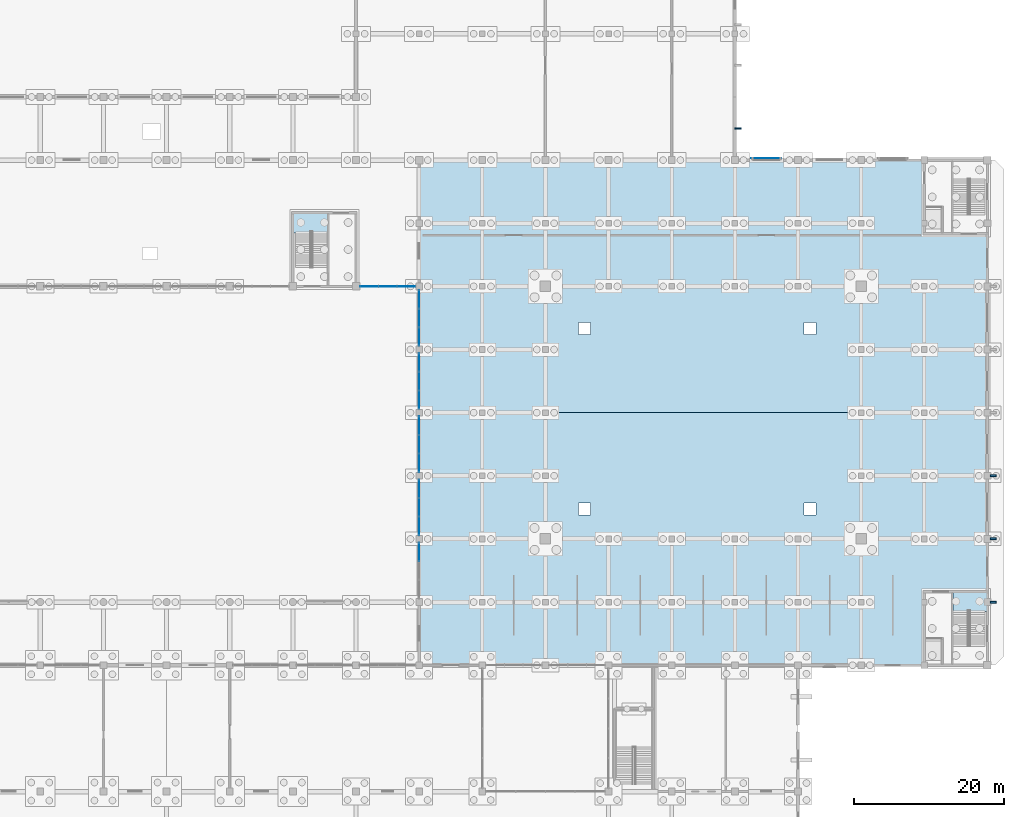
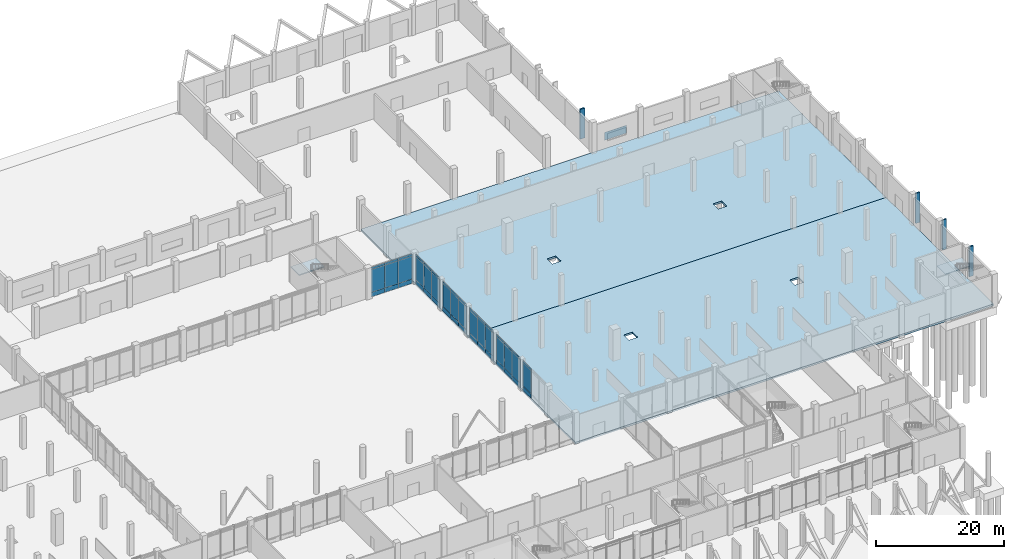
# One storey, part 48 of 72: 53 plates, 4 slabs, 8 elements without a shape of their own.
"""IFC4 building model written with IfcOpenShell, lengths in metres."""

from ifc_helpers import new_model, si_unit, direction, frame, frame_2d, origin, place, context, subcontext, project, spatial, polyline, rectangle, outline, extrude, material, layer, layer_set, type_object, element, aggregate, save


model = new_model("IFC4")

# Units and contexts
model_context = context("Model", 3, precision=1e-05, world=origin(), true_north=direction((0.0, 1.0)))
body_context = subcontext(model_context, "Body", "Model", "MODEL_VIEW")
ifc_project = project(units=[si_unit("LENGTHUNIT", "METRE"), si_unit("AREAUNIT", "SQUARE_METRE"), si_unit("VOLUMEUNIT", "CUBIC_METRE"), si_unit("PLANEANGLEUNIT", "RADIAN"), si_unit("MASSUNIT", "GRAM", prefix="KILO")], contexts=[model_context])

# Site, building, storey
site_placement = place(None, origin())
site = spatial("IfcSite", under=ifc_project, at=site_placement, CompositionType="ELEMENT")
building_placement = place(site_placement, origin())
building = spatial("IfcBuilding", under=site, at=building_placement, Name="Qawsi Khor Wholesale Market", CompositionType="ELEMENT")
storey_placement = place(building_placement, origin())
storey = spatial("IfcBuildingStorey", under=building, at=storey_placement, Name="L00", CompositionType="ELEMENT", Elevation=0.0)

# Slabs
ifc_material_1 = material(Name="Concrete C45/55", Category="concrete")
ifc_layer_1 = layer(ifc_material_1, 0.360107421875, Name="Concrete C45/55")
ifc_layer_set_1 = layer_set([ifc_layer_1], Name="Concrete C45/55")
slab_type_1 = type_object("IfcSlabType", Name="Ground-Bearing Slab 360 C45/55", PredefinedType="BASESLAB", material=ifc_layer_set_1)
slab_1_placement = place(storey_placement, frame((0.0, 0.0, -0.360107421875)))
element("IfcSlab", 1, at=slab_1_placement, inside=storey, type_object=slab_type_1, Name="SLB-L00-EHALL-S", PredefinedType="BASESLAB", context=body_context, shape_type="SweptSolid", body=[
    extrude(outline(polyline([(142.800048828125, 75.60009765625), (218.39990234375, 75.60009765625), (218.39990234375, 42.0), (142.800048828125, 42.0), (142.800048828125, 75.60009765625)]), holes=[polyline([(164.0, 62.0), (165.60009765625, 62.0), (165.60009765625, 63.60009765625), (164.0, 63.60009765625), (164.0, 62.0)]), polyline([(194.0, 62.0), (195.60009765625, 62.0), (195.60009765625, 63.60009765625), (194.0, 63.60009765625), (194.0, 62.0)])]), origin(), (0.0, 0.0, 1.0), 0.360107421875),
])
slab_2_placement = place(storey_placement, frame((0.0, 0.0, -0.360107421875)))
element("IfcSlab", 2, at=slab_2_placement, inside=storey, type_object=slab_type_1, Name="SLB-L00-EHALL-N", PredefinedType="BASESLAB", context=body_context, shape_type="SweptSolid", body=[
    extrude(outline(polyline([(142.800048828125, 109.199951171875), (218.39990234375, 109.199951171875), (218.39990234375, 75.60009765625), (142.800048828125, 75.60009765625), (142.800048828125, 109.199951171875)]), holes=[polyline([(164.0, 86.0), (165.60009765625, 86.0), (165.60009765625, 87.60009765625), (164.0, 87.60009765625), (164.0, 86.0)]), polyline([(194.0, 86.0), (195.60009765625, 86.0), (195.60009765625, 87.60009765625), (194.0, 87.60009765625), (194.0, 86.0)])]), origin(), (0.0, 0.0, 1.0), 0.360107421875),
])

# Curtain wall, plate
ifc_material_2 = material(Name="Aluminium Anodised Bronze", Category="aluminium")
ifc_layer_2 = layer(ifc_material_2, 0.199951171875, Name="Aluminium Anodised Bronze")
ifc_layer_set_2 = layer_set([ifc_layer_2], Name="Aluminium Anodised Bronze")
curtain_wall_type_1 = type_object("IfcCurtainWallType", Name="Trading Hall North-Light Curtain Wall CW-03", PredefinedType="NOTDEFINED", material=ifc_layer_set_2)
curtain_wall_1_placement = place(storey_placement, origin())
curtain_wall_1 = element("IfcCurtainWall", 3, at=curtain_wall_1_placement, inside=storey, type_object=curtain_wall_type_1, Name="Curtain wall CW-CW-03-L00-075", PredefinedType="NOTDEFINED")
ifc_material_3 = material(Name="Anodised Aluminium Spandrel", Category="aluminium")
ifc_layer_3 = layer(ifc_material_3, 0.074951171875, Name="Anodised Aluminium Spandrel")
ifc_layer_set_3 = layer_set([ifc_layer_3], Name="Anodised Aluminium Spandrel")
plate_type_1 = type_object("IfcPlateType", Name="Insulated Spandrel Panel CW-03 75mm", PredefinedType="CURTAIN_PANEL", material=ifc_layer_set_3)
plate_1_placement = place(storey_placement, frame((142.800048828125, 55.834228515625, 0.0048828125), z_axis=(0.0, 0.0, 1.0), x_axis=(0.0, 1.0, 0.0)))
plate_1 = element("IfcPlate", 4, at=plate_1_placement, type_object=plate_type_1, Name="Curtain panel CW-CW-03-L00-075-P0_02", PredefinedType="CURTAIN_PANEL", context=body_context, shape_type="SweptSolid", body=[
    extrude(rectangle(XDim=2.46826171875, YDim=0.074951171875, at=frame_2d((1.234130859375, 0.0))), origin(), (0.0, 0.0, 1.0), 0.840087890625),
])

# Curtain wall, plates
curtain_wall_2_placement = place(storey_placement, origin())
curtain_wall_2 = element("IfcCurtainWall", 5, at=curtain_wall_2_placement, inside=storey, type_object=curtain_wall_type_1, Name="Curtain wall CW-CW-03-L00-080", PredefinedType="NOTDEFINED")
plate_2_placement = place(storey_placement, frame((142.800048828125, 59.297607421875, 0.0048828125), z_axis=(0.0, 0.0, 1.0), x_axis=(0.0, 1.0, 0.0)))
plate_2 = element("IfcPlate", 6, at=plate_2_placement, type_object=plate_type_1, Name="Curtain panel CW-CW-03-L00-080-P0_00", PredefinedType="CURTAIN_PANEL", context=body_context, shape_type="SweptSolid", body=[
    extrude(rectangle(XDim=2.46826171875, YDim=0.074951171875, at=frame_2d((1.234130859375, 0.0))), origin(), (0.0, 0.0, 1.0), 0.840087890625),
])
plate_3_placement = place(storey_placement, frame((142.800048828125, 61.765869140625, 0.0048828125), z_axis=(0.0, 0.0, 1.0), x_axis=(0.0, 1.0, 0.0)))
plate_3 = element("IfcPlate", 7, at=plate_3_placement, type_object=plate_type_1, Name="Curtain panel CW-CW-03-L00-080-P0_01", PredefinedType="CURTAIN_PANEL", context=body_context, shape_type="SweptSolid", body=[
    extrude(rectangle(XDim=2.46826171875, YDim=0.074951171875, at=frame_2d((1.234130859375, 0.0))), origin(), (0.0, 0.0, 1.0), 0.840087890625),
])
plate_4_placement = place(storey_placement, frame((142.800048828125, 64.234130859375, 0.0048828125), z_axis=(0.0, 0.0, 1.0), x_axis=(0.0, 1.0, 0.0)))
plate_4 = element("IfcPlate", 8, at=plate_4_placement, type_object=plate_type_1, Name="Curtain panel CW-CW-03-L00-080-P0_02", PredefinedType="CURTAIN_PANEL", context=body_context, shape_type="SweptSolid", body=[
    extrude(rectangle(XDim=2.46826171875, YDim=0.074951171875, at=frame_2d((1.234130859375, 0.0))), origin(), (0.0, 0.0, 1.0), 0.840087890625),
])

curtain_wall_3_placement = place(storey_placement, origin())
curtain_wall_3 = element("IfcCurtainWall", 9, at=curtain_wall_3_placement, inside=storey, type_object=curtain_wall_type_1, Name="Curtain wall CW-CW-03-L00-085", PredefinedType="NOTDEFINED")
plate_5_placement = place(storey_placement, frame((142.800048828125, 67.697509765625, 0.0048828125), z_axis=(0.0, 0.0, 1.0), x_axis=(0.0, 1.0, 0.0)))
plate_5 = element("IfcPlate", 10, at=plate_5_placement, type_object=plate_type_1, Name="Curtain panel CW-CW-03-L00-085-P0_00", PredefinedType="CURTAIN_PANEL", context=body_context, shape_type="SweptSolid", body=[
    extrude(rectangle(XDim=2.46826171875, YDim=0.074951171875, at=frame_2d((1.234130859375, 0.0))), origin(), (0.0, 0.0, 1.0), 0.840087890625),
])
plate_6_placement = place(storey_placement, frame((142.800048828125, 70.165771484375, 0.0048828125), z_axis=(0.0, 0.0, 1.0), x_axis=(0.0, 1.0, 0.0)))
plate_6 = element("IfcPlate", 11, at=plate_6_placement, type_object=plate_type_1, Name="Curtain panel CW-CW-03-L00-085-P0_01", PredefinedType="CURTAIN_PANEL", context=body_context, shape_type="SweptSolid", body=[
    extrude(rectangle(XDim=2.468505859375, YDim=0.074951171875, at=frame_2d((1.234375, 0.0))), origin(), (0.0, 0.0, 1.0), 0.840087890625),
])
plate_7_placement = place(storey_placement, frame((142.800048828125, 72.63427734375, 0.0048828125), z_axis=(0.0, 0.0, 1.0), x_axis=(0.0, 1.0, 0.0)))
plate_7 = element("IfcPlate", 12, at=plate_7_placement, type_object=plate_type_1, Name="Curtain panel CW-CW-03-L00-085-P0_02", PredefinedType="CURTAIN_PANEL", context=body_context, shape_type="SweptSolid", body=[
    extrude(rectangle(XDim=2.46826171875, YDim=0.074951171875, at=frame_2d((1.234130859375, 0.0))), origin(), (0.0, 0.0, 1.0), 0.840087890625),
])

curtain_wall_4_placement = place(storey_placement, origin())
curtain_wall_4 = element("IfcCurtainWall", 13, at=curtain_wall_4_placement, inside=storey, type_object=curtain_wall_type_1, Name="Curtain wall CW-CW-03-L00-090", PredefinedType="NOTDEFINED")
plate_8_placement = place(storey_placement, frame((142.800048828125, 76.097412109375, 0.0048828125), z_axis=(0.0, 0.0, 1.0), x_axis=(0.0, 1.0, 0.0)))
plate_8 = element("IfcPlate", 14, at=plate_8_placement, type_object=plate_type_1, Name="Curtain panel CW-CW-03-L00-090-P0_00", PredefinedType="CURTAIN_PANEL", context=body_context, shape_type="SweptSolid", body=[
    extrude(rectangle(XDim=2.468505859375, YDim=0.074951171875, at=frame_2d((1.234375, 0.0))), origin(), (0.0, 0.0, 1.0), 0.840087890625),
])
plate_9_placement = place(storey_placement, frame((142.800048828125, 78.56591796875, 0.0048828125), z_axis=(0.0, 0.0, 1.0), x_axis=(0.0, 1.0, 0.0)))
plate_9 = element("IfcPlate", 15, at=plate_9_placement, type_object=plate_type_1, Name="Curtain panel CW-CW-03-L00-090-P0_01", PredefinedType="CURTAIN_PANEL", context=body_context, shape_type="SweptSolid", body=[
    extrude(rectangle(XDim=2.46826171875, YDim=0.074951171875, at=frame_2d((1.234130859375, 0.0))), origin(), (0.0, 0.0, 1.0), 0.840087890625),
])
plate_10_placement = place(storey_placement, frame((142.800048828125, 81.0341796875, 0.0048828125), z_axis=(0.0, 0.0, 1.0), x_axis=(0.0, 1.0, 0.0)))
plate_10 = element("IfcPlate", 16, at=plate_10_placement, type_object=plate_type_1, Name="Curtain panel CW-CW-03-L00-090-P0_02", PredefinedType="CURTAIN_PANEL", context=body_context, shape_type="SweptSolid", body=[
    extrude(rectangle(XDim=2.46826171875, YDim=0.074951171875, at=frame_2d((1.234130859375, 0.0))), origin(), (0.0, 0.0, 1.0), 0.840087890625),
])

curtain_wall_5_placement = place(storey_placement, origin())
curtain_wall_5 = element("IfcCurtainWall", 17, at=curtain_wall_5_placement, inside=storey, type_object=curtain_wall_type_1, Name="Curtain wall CW-CW-03-L00-095", PredefinedType="NOTDEFINED")
plate_11_placement = place(storey_placement, frame((142.800048828125, 84.49755859375, 0.0048828125), z_axis=(0.0, 0.0, 1.0), x_axis=(0.0, 1.0, 0.0)))
plate_11 = element("IfcPlate", 18, at=plate_11_placement, type_object=plate_type_1, Name="Curtain panel CW-CW-03-L00-095-P0_00", PredefinedType="CURTAIN_PANEL", context=body_context, shape_type="SweptSolid", body=[
    extrude(rectangle(XDim=2.46826171875, YDim=0.074951171875, at=frame_2d((1.234130859375, 0.0))), origin(), (0.0, 0.0, 1.0), 0.840087890625),
])
plate_12_placement = place(storey_placement, frame((142.800048828125, 86.9658203125, 0.0048828125), z_axis=(0.0, 0.0, 1.0), x_axis=(0.0, 1.0, 0.0)))
plate_12 = element("IfcPlate", 19, at=plate_12_placement, type_object=plate_type_1, Name="Curtain panel CW-CW-03-L00-095-P0_01", PredefinedType="CURTAIN_PANEL", context=body_context, shape_type="SweptSolid", body=[
    extrude(rectangle(XDim=2.46826171875, YDim=0.074951171875, at=frame_2d((1.234130859375, 0.0))), origin(), (0.0, 0.0, 1.0), 0.840087890625),
])
plate_13_placement = place(storey_placement, frame((142.800048828125, 89.43408203125, 0.0048828125), z_axis=(0.0, 0.0, 1.0), x_axis=(0.0, 1.0, 0.0)))
plate_13 = element("IfcPlate", 20, at=plate_13_placement, type_object=plate_type_1, Name="Curtain panel CW-CW-03-L00-095-P0_02", PredefinedType="CURTAIN_PANEL", context=body_context, shape_type="SweptSolid", body=[
    extrude(rectangle(XDim=2.468505859375, YDim=0.074951171875, at=frame_2d((1.234375, 0.0))), origin(), (0.0, 0.0, 1.0), 0.840087890625),
])

ifc_layer_4 = layer(ifc_material_2, 0.219970703125, Name="Aluminium Anodised Bronze")
ifc_layer_set_4 = layer_set([ifc_layer_4], Name="Aluminium Anodised Bronze")
curtain_wall_type_2 = type_object("IfcCurtainWallType", Name="Auction Clerestory Curtain Wall CW-04", PredefinedType="NOTDEFINED", material=ifc_layer_set_4)
curtain_wall_6_placement = place(storey_placement, origin())
curtain_wall_6 = element("IfcCurtainWall", 21, at=curtain_wall_6_placement, inside=storey, type_object=curtain_wall_type_2, Name="Curtain wall CW-CW-04-L00-115", PredefinedType="NOTDEFINED")
ifc_layer_5 = layer(ifc_material_3, 0.0849609375, Name="Anodised Aluminium Spandrel")
ifc_layer_set_5 = layer_set([ifc_layer_5], Name="Anodised Aluminium Spandrel")
plate_type_2 = type_object("IfcPlateType", Name="Insulated Spandrel Panel CW-04 85mm", PredefinedType="CURTAIN_PANEL", material=ifc_layer_set_5)
plate_14_placement = place(storey_placement, frame((134.949951171875, 92.39990234375, 0.0048828125), z_axis=(0.0, 0.0, 1.0), x_axis=(1.0, 0.0, 0.0)))
plate_14 = element("IfcPlate", 22, at=plate_14_placement, type_object=plate_type_2, Name="Curtain panel CW-CW-04-L00-115-P0_00", PredefinedType="CURTAIN_PANEL", context=body_context, shape_type="SweptSolid", body=[
    extrude(rectangle(XDim=2.449951171875, YDim=0.0849609375, at=frame_2d((1.22509765625, 0.0))), origin(), (0.0, 0.0, 1.0), 0.840087890625),
])
plate_15_placement = place(storey_placement, frame((137.39990234375, 92.39990234375, 0.0048828125), z_axis=(0.0, 0.0, 1.0), x_axis=(1.0, 0.0, 0.0)))
plate_15 = element("IfcPlate", 23, at=plate_15_placement, type_object=plate_type_2, Name="Curtain panel CW-CW-04-L00-115-P0_01", PredefinedType="CURTAIN_PANEL", context=body_context, shape_type="SweptSolid", body=[
    extrude(rectangle(XDim=2.4501953125, YDim=0.0849609375, at=frame_2d((1.22509765625, 0.0))), origin(), (0.0, 0.0, 1.0), 0.840087890625),
])
plate_16_placement = place(storey_placement, frame((139.85009765625, 92.39990234375, 0.0048828125), z_axis=(0.0, 0.0, 1.0), x_axis=(1.0, 0.0, 0.0)))
plate_16 = element("IfcPlate", 24, at=plate_16_placement, type_object=plate_type_2, Name="Curtain panel CW-CW-04-L00-115-P0_02", PredefinedType="CURTAIN_PANEL", context=body_context, shape_type="SweptSolid", body=[
    extrude(rectangle(XDim=2.449951171875, YDim=0.0849609375, at=frame_2d((1.22509765625, 0.0))), origin(), (0.0, 0.0, 1.0), 0.840087890625),
])

# Plates
ifc_material_4 = material(Name="Perforated Bronze-Anodised Aluminium", Category="aluminium")
ifc_layer_6 = layer(ifc_material_4, 0.02001953125, Name="Perforated Bronze-Anodised Aluminium")
ifc_layer_set_6 = layer_set([ifc_layer_6], Name="Perforated Bronze-Anodised Aluminium")
plate_type_3 = type_object("IfcPlateType", Name="Perforated Bronze Mashrabiya Screen 20mm", PredefinedType="SHEET", material=ifc_layer_set_6)
plate_17_placement = place(storey_placement, frame((187.0, 109.465087890625, 1.35009765625), z_axis=(0.0, 0.0, 1.0), x_axis=(1.0, 0.0, 0.0)))
element("IfcPlate", 25, at=plate_17_placement, inside=storey, type_object=plate_type_3, Name="Solar mashrabiya screen 090", PredefinedType="SHEET", context=body_context, shape_type="SweptSolid", body=[
    extrude(rectangle(XDim=4.0, YDim=0.02001953125, at=frame_2d((2.0, 0.0))), origin(), (0.0, 0.0, 1.0), 1.5),
])
ifc_material_5 = material(Name="Concrete C40/50", Category="concrete")
ifc_layer_7 = layer(ifc_material_5, 0.260009765625, Name="Concrete C40/50")
ifc_layer_set_7 = layer_set([ifc_layer_7], Name="Concrete C40/50")
plate_type_4 = type_object("IfcPlateType", Name="Sculpted Concrete Solar Buttress Fin 260", PredefinedType="SHEET", material=ifc_layer_set_7)
for number, where, z_axis, x_axis, name in (
    (26, (218.7900390625, 50.39990234375, 0.0), (0.0, 0.0, 1.0), (1.0, 0.0, 0.0), "East Hall Concrete Buttress Rib L00-6"),
    (27, (218.7900390625, 58.800048828125, 0.0), (0.0, 0.0, 1.0), (1.0, 0.0, 0.0), "East Hall Concrete Buttress Rib L00-7"),
    (28, (218.7900390625, 67.199951171875, 0.0), (0.0, 0.0, 1.0), (1.0, 0.0, 0.0), "East Hall Concrete Buttress Rib L00-8"),
):
    element("IfcPlate", number, at=place(storey_placement, frame(where, z_axis=z_axis, x_axis=x_axis)), inside=storey, type_object=plate_type_4, Name=name, PredefinedType="SHEET", context=body_context, shape_type="SweptSolid", body=[
        extrude(rectangle(XDim=0.760009765625, YDim=0.260009765625, at=frame_2d((0.3798828125, 0.0))), origin(), (0.0, 0.0, 1.0), 5.72998046875),
    ])
plate_18_placement = place(storey_placement, frame((184.800048828125, 113.39990234375, 0.0), z_axis=(0.0, 0.0, 1.0), x_axis=(1.0, 0.0, 0.0)))
element("IfcPlate", 29, at=plate_18_placement, inside=storey, type_object=plate_type_4, Name="NEC Cold-Store Sculpted Concrete Fin 13", PredefinedType="SHEET", context=body_context, shape_type="SweptSolid", body=[
    extrude(rectangle(XDim=0.849853515625, YDim=0.260009765625, at=frame_2d((0.4248046875, 0.0))), origin(), (0.0, 0.0, 1.0), 5.699951171875),
])

# Plate
ifc_material_6 = material(Name="Tempered Low-E Solar Glass", Category="glass")
ifc_layer_8 = layer(ifc_material_6, 0.0419921875, Name="Tempered Low-E Solar Glass")
ifc_layer_set_8 = layer_set([ifc_layer_8], Name="Tempered Low-E Solar Glass")
plate_type_5 = type_object("IfcPlateType", Name="Solar Double-Glazed Unit CW-03 42mm", PredefinedType="CURTAIN_PANEL", material=ifc_layer_set_8)
plate_19_placement = place(storey_placement, frame((142.800048828125, 55.834228515625, 0.85498046875), z_axis=(0.0, 0.0, 1.0), x_axis=(0.0, 1.0, 0.0)))
plate_19 = element("IfcPlate", 30, at=plate_19_placement, type_object=plate_type_5, Name="Curtain panel CW-CW-03-L00-075-P1_02", PredefinedType="CURTAIN_PANEL", context=body_context, shape_type="SweptSolid", body=[
    extrude(rectangle(XDim=2.46826171875, YDim=0.0419921875, at=frame_2d((1.234130859375, 0.0))), origin(), (0.0, 0.0, 1.0), 4.419921875),
])

plate_20_placement = place(storey_placement, frame((142.800048828125, 55.834228515625, 5.284912109375), z_axis=(0.0, 0.0, 1.0), x_axis=(0.0, 1.0, 0.0)))
plate_20 = element("IfcPlate", 31, at=plate_20_placement, type_object=plate_type_5, Name="Curtain panel CW-CW-03-L00-075-P2_02", PredefinedType="CURTAIN_PANEL", context=body_context, shape_type="SweptSolid", body=[
    extrude(rectangle(XDim=2.46826171875, YDim=0.0419921875, at=frame_2d((1.234130859375, 0.0))), origin(), (0.0, 0.0, 1.0), 0.440185546875),
])

aggregate(curtain_wall_1, [plate_1, plate_19, plate_20])

plate_21_placement = place(storey_placement, frame((142.800048828125, 59.297607421875, 0.85498046875), z_axis=(0.0, 0.0, 1.0), x_axis=(0.0, 1.0, 0.0)))
plate_21 = element("IfcPlate", 32, at=plate_21_placement, type_object=plate_type_5, Name="Curtain panel CW-CW-03-L00-080-P1_00", PredefinedType="CURTAIN_PANEL", context=body_context, shape_type="SweptSolid", body=[
    extrude(rectangle(XDim=2.46826171875, YDim=0.0419921875, at=frame_2d((1.234130859375, 0.0))), origin(), (0.0, 0.0, 1.0), 4.419921875),
])

plate_22_placement = place(storey_placement, frame((142.800048828125, 61.765869140625, 0.85498046875), z_axis=(0.0, 0.0, 1.0), x_axis=(0.0, 1.0, 0.0)))
plate_22 = element("IfcPlate", 33, at=plate_22_placement, type_object=plate_type_5, Name="Curtain panel CW-CW-03-L00-080-P1_01", PredefinedType="CURTAIN_PANEL", context=body_context, shape_type="SweptSolid", body=[
    extrude(rectangle(XDim=2.46826171875, YDim=0.0419921875, at=frame_2d((1.234130859375, 0.0))), origin(), (0.0, 0.0, 1.0), 4.419921875),
])

plate_23_placement = place(storey_placement, frame((142.800048828125, 64.234130859375, 0.85498046875), z_axis=(0.0, 0.0, 1.0), x_axis=(0.0, 1.0, 0.0)))
plate_23 = element("IfcPlate", 34, at=plate_23_placement, type_object=plate_type_5, Name="Curtain panel CW-CW-03-L00-080-P1_02", PredefinedType="CURTAIN_PANEL", context=body_context, shape_type="SweptSolid", body=[
    extrude(rectangle(XDim=2.46826171875, YDim=0.0419921875, at=frame_2d((1.234130859375, 0.0))), origin(), (0.0, 0.0, 1.0), 4.419921875),
])

plate_24_placement = place(storey_placement, frame((142.800048828125, 59.297607421875, 5.284912109375), z_axis=(0.0, 0.0, 1.0), x_axis=(0.0, 1.0, 0.0)))
plate_24 = element("IfcPlate", 35, at=plate_24_placement, type_object=plate_type_5, Name="Curtain panel CW-CW-03-L00-080-P2_00", PredefinedType="CURTAIN_PANEL", context=body_context, shape_type="SweptSolid", body=[
    extrude(rectangle(XDim=2.46826171875, YDim=0.0419921875, at=frame_2d((1.234130859375, 0.0))), origin(), (0.0, 0.0, 1.0), 0.440185546875),
])

plate_25_placement = place(storey_placement, frame((142.800048828125, 61.765869140625, 5.284912109375), z_axis=(0.0, 0.0, 1.0), x_axis=(0.0, 1.0, 0.0)))
plate_25 = element("IfcPlate", 36, at=plate_25_placement, type_object=plate_type_5, Name="Curtain panel CW-CW-03-L00-080-P2_01", PredefinedType="CURTAIN_PANEL", context=body_context, shape_type="SweptSolid", body=[
    extrude(rectangle(XDim=2.46826171875, YDim=0.0419921875, at=frame_2d((1.234130859375, 0.0))), origin(), (0.0, 0.0, 1.0), 0.440185546875),
])

plate_26_placement = place(storey_placement, frame((142.800048828125, 64.234130859375, 5.284912109375), z_axis=(0.0, 0.0, 1.0), x_axis=(0.0, 1.0, 0.0)))
plate_26 = element("IfcPlate", 37, at=plate_26_placement, type_object=plate_type_5, Name="Curtain panel CW-CW-03-L00-080-P2_02", PredefinedType="CURTAIN_PANEL", context=body_context, shape_type="SweptSolid", body=[
    extrude(rectangle(XDim=2.46826171875, YDim=0.0419921875, at=frame_2d((1.234130859375, 0.0))), origin(), (0.0, 0.0, 1.0), 0.440185546875),
])

aggregate(curtain_wall_2, [plate_2, plate_3, plate_4, plate_21, plate_22, plate_23, plate_24, plate_25, plate_26])

plate_27_placement = place(storey_placement, frame((142.800048828125, 67.697509765625, 0.85498046875), z_axis=(0.0, 0.0, 1.0), x_axis=(0.0, 1.0, 0.0)))
plate_27 = element("IfcPlate", 38, at=plate_27_placement, type_object=plate_type_5, Name="Curtain panel CW-CW-03-L00-085-P1_00", PredefinedType="CURTAIN_PANEL", context=body_context, shape_type="SweptSolid", body=[
    extrude(rectangle(XDim=2.46826171875, YDim=0.0419921875, at=frame_2d((1.234130859375, 0.0))), origin(), (0.0, 0.0, 1.0), 4.419921875),
])

plate_28_placement = place(storey_placement, frame((142.800048828125, 70.165771484375, 0.85498046875), z_axis=(0.0, 0.0, 1.0), x_axis=(0.0, 1.0, 0.0)))
plate_28 = element("IfcPlate", 39, at=plate_28_placement, type_object=plate_type_5, Name="Curtain panel CW-CW-03-L00-085-P1_01", PredefinedType="CURTAIN_PANEL", context=body_context, shape_type="SweptSolid", body=[
    extrude(rectangle(XDim=2.468505859375, YDim=0.0419921875, at=frame_2d((1.234375, 0.0))), origin(), (0.0, 0.0, 1.0), 4.419921875),
])

plate_29_placement = place(storey_placement, frame((142.800048828125, 72.63427734375, 0.85498046875), z_axis=(0.0, 0.0, 1.0), x_axis=(0.0, 1.0, 0.0)))
plate_29 = element("IfcPlate", 40, at=plate_29_placement, type_object=plate_type_5, Name="Curtain panel CW-CW-03-L00-085-P1_02", PredefinedType="CURTAIN_PANEL", context=body_context, shape_type="SweptSolid", body=[
    extrude(rectangle(XDim=2.46826171875, YDim=0.0419921875, at=frame_2d((1.234130859375, 0.0))), origin(), (0.0, 0.0, 1.0), 4.419921875),
])

plate_30_placement = place(storey_placement, frame((142.800048828125, 67.697509765625, 5.284912109375), z_axis=(0.0, 0.0, 1.0), x_axis=(0.0, 1.0, 0.0)))
plate_30 = element("IfcPlate", 41, at=plate_30_placement, type_object=plate_type_5, Name="Curtain panel CW-CW-03-L00-085-P2_00", PredefinedType="CURTAIN_PANEL", context=body_context, shape_type="SweptSolid", body=[
    extrude(rectangle(XDim=2.46826171875, YDim=0.0419921875, at=frame_2d((1.234130859375, 0.0))), origin(), (0.0, 0.0, 1.0), 0.440185546875),
])

plate_31_placement = place(storey_placement, frame((142.800048828125, 70.165771484375, 5.284912109375), z_axis=(0.0, 0.0, 1.0), x_axis=(0.0, 1.0, 0.0)))
plate_31 = element("IfcPlate", 42, at=plate_31_placement, type_object=plate_type_5, Name="Curtain panel CW-CW-03-L00-085-P2_01", PredefinedType="CURTAIN_PANEL", context=body_context, shape_type="SweptSolid", body=[
    extrude(rectangle(XDim=2.468505859375, YDim=0.0419921875, at=frame_2d((1.234375, 0.0))), origin(), (0.0, 0.0, 1.0), 0.440185546875),
])

plate_32_placement = place(storey_placement, frame((142.800048828125, 72.63427734375, 5.284912109375), z_axis=(0.0, 0.0, 1.0), x_axis=(0.0, 1.0, 0.0)))
plate_32 = element("IfcPlate", 43, at=plate_32_placement, type_object=plate_type_5, Name="Curtain panel CW-CW-03-L00-085-P2_02", PredefinedType="CURTAIN_PANEL", context=body_context, shape_type="SweptSolid", body=[
    extrude(rectangle(XDim=2.46826171875, YDim=0.0419921875, at=frame_2d((1.234130859375, 0.0))), origin(), (0.0, 0.0, 1.0), 0.440185546875),
])

aggregate(curtain_wall_3, [plate_5, plate_6, plate_7, plate_27, plate_28, plate_29, plate_30, plate_31, plate_32])

plate_33_placement = place(storey_placement, frame((142.800048828125, 76.097412109375, 0.85498046875), z_axis=(0.0, 0.0, 1.0), x_axis=(0.0, 1.0, 0.0)))
plate_33 = element("IfcPlate", 44, at=plate_33_placement, type_object=plate_type_5, Name="Curtain panel CW-CW-03-L00-090-P1_00", PredefinedType="CURTAIN_PANEL", context=body_context, shape_type="SweptSolid", body=[
    extrude(rectangle(XDim=2.468505859375, YDim=0.0419921875, at=frame_2d((1.234375, 0.0))), origin(), (0.0, 0.0, 1.0), 4.419921875),
])

plate_34_placement = place(storey_placement, frame((142.800048828125, 78.56591796875, 0.85498046875), z_axis=(0.0, 0.0, 1.0), x_axis=(0.0, 1.0, 0.0)))
plate_34 = element("IfcPlate", 45, at=plate_34_placement, type_object=plate_type_5, Name="Curtain panel CW-CW-03-L00-090-P1_01", PredefinedType="CURTAIN_PANEL", context=body_context, shape_type="SweptSolid", body=[
    extrude(rectangle(XDim=2.46826171875, YDim=0.0419921875, at=frame_2d((1.234130859375, 0.0))), origin(), (0.0, 0.0, 1.0), 4.419921875),
])

plate_35_placement = place(storey_placement, frame((142.800048828125, 81.0341796875, 0.85498046875), z_axis=(0.0, 0.0, 1.0), x_axis=(0.0, 1.0, 0.0)))
plate_35 = element("IfcPlate", 46, at=plate_35_placement, type_object=plate_type_5, Name="Curtain panel CW-CW-03-L00-090-P1_02", PredefinedType="CURTAIN_PANEL", context=body_context, shape_type="SweptSolid", body=[
    extrude(rectangle(XDim=2.46826171875, YDim=0.0419921875, at=frame_2d((1.234130859375, 0.0))), origin(), (0.0, 0.0, 1.0), 4.419921875),
])

plate_36_placement = place(storey_placement, frame((142.800048828125, 76.097412109375, 5.284912109375), z_axis=(0.0, 0.0, 1.0), x_axis=(0.0, 1.0, 0.0)))
plate_36 = element("IfcPlate", 47, at=plate_36_placement, type_object=plate_type_5, Name="Curtain panel CW-CW-03-L00-090-P2_00", PredefinedType="CURTAIN_PANEL", context=body_context, shape_type="SweptSolid", body=[
    extrude(rectangle(XDim=2.468505859375, YDim=0.0419921875, at=frame_2d((1.234375, 0.0))), origin(), (0.0, 0.0, 1.0), 0.440185546875),
])

plate_37_placement = place(storey_placement, frame((142.800048828125, 78.56591796875, 5.284912109375), z_axis=(0.0, 0.0, 1.0), x_axis=(0.0, 1.0, 0.0)))
plate_37 = element("IfcPlate", 48, at=plate_37_placement, type_object=plate_type_5, Name="Curtain panel CW-CW-03-L00-090-P2_01", PredefinedType="CURTAIN_PANEL", context=body_context, shape_type="SweptSolid", body=[
    extrude(rectangle(XDim=2.46826171875, YDim=0.0419921875, at=frame_2d((1.234130859375, 0.0))), origin(), (0.0, 0.0, 1.0), 0.440185546875),
])

plate_38_placement = place(storey_placement, frame((142.800048828125, 81.0341796875, 5.284912109375), z_axis=(0.0, 0.0, 1.0), x_axis=(0.0, 1.0, 0.0)))
plate_38 = element("IfcPlate", 49, at=plate_38_placement, type_object=plate_type_5, Name="Curtain panel CW-CW-03-L00-090-P2_02", PredefinedType="CURTAIN_PANEL", context=body_context, shape_type="SweptSolid", body=[
    extrude(rectangle(XDim=2.46826171875, YDim=0.0419921875, at=frame_2d((1.234130859375, 0.0))), origin(), (0.0, 0.0, 1.0), 0.440185546875),
])

aggregate(curtain_wall_4, [plate_8, plate_9, plate_10, plate_33, plate_34, plate_35, plate_36, plate_37, plate_38])

plate_39_placement = place(storey_placement, frame((142.800048828125, 84.49755859375, 0.85498046875), z_axis=(0.0, 0.0, 1.0), x_axis=(0.0, 1.0, 0.0)))
plate_39 = element("IfcPlate", 50, at=plate_39_placement, type_object=plate_type_5, Name="Curtain panel CW-CW-03-L00-095-P1_00", PredefinedType="CURTAIN_PANEL", context=body_context, shape_type="SweptSolid", body=[
    extrude(rectangle(XDim=2.46826171875, YDim=0.0419921875, at=frame_2d((1.234130859375, 0.0))), origin(), (0.0, 0.0, 1.0), 4.419921875),
])

plate_40_placement = place(storey_placement, frame((142.800048828125, 86.9658203125, 0.85498046875), z_axis=(0.0, 0.0, 1.0), x_axis=(0.0, 1.0, 0.0)))
plate_40 = element("IfcPlate", 51, at=plate_40_placement, type_object=plate_type_5, Name="Curtain panel CW-CW-03-L00-095-P1_01", PredefinedType="CURTAIN_PANEL", context=body_context, shape_type="SweptSolid", body=[
    extrude(rectangle(XDim=2.46826171875, YDim=0.0419921875, at=frame_2d((1.234130859375, 0.0))), origin(), (0.0, 0.0, 1.0), 4.419921875),
])

plate_41_placement = place(storey_placement, frame((142.800048828125, 89.43408203125, 0.85498046875), z_axis=(0.0, 0.0, 1.0), x_axis=(0.0, 1.0, 0.0)))
plate_41 = element("IfcPlate", 52, at=plate_41_placement, type_object=plate_type_5, Name="Curtain panel CW-CW-03-L00-095-P1_02", PredefinedType="CURTAIN_PANEL", context=body_context, shape_type="SweptSolid", body=[
    extrude(rectangle(XDim=2.468505859375, YDim=0.0419921875, at=frame_2d((1.234375, 0.0))), origin(), (0.0, 0.0, 1.0), 4.419921875),
])

plate_42_placement = place(storey_placement, frame((142.800048828125, 84.49755859375, 5.284912109375), z_axis=(0.0, 0.0, 1.0), x_axis=(0.0, 1.0, 0.0)))
plate_42 = element("IfcPlate", 53, at=plate_42_placement, type_object=plate_type_5, Name="Curtain panel CW-CW-03-L00-095-P2_00", PredefinedType="CURTAIN_PANEL", context=body_context, shape_type="SweptSolid", body=[
    extrude(rectangle(XDim=2.46826171875, YDim=0.0419921875, at=frame_2d((1.234130859375, 0.0))), origin(), (0.0, 0.0, 1.0), 0.440185546875),
])

plate_43_placement = place(storey_placement, frame((142.800048828125, 86.9658203125, 5.284912109375), z_axis=(0.0, 0.0, 1.0), x_axis=(0.0, 1.0, 0.0)))
plate_43 = element("IfcPlate", 54, at=plate_43_placement, type_object=plate_type_5, Name="Curtain panel CW-CW-03-L00-095-P2_01", PredefinedType="CURTAIN_PANEL", context=body_context, shape_type="SweptSolid", body=[
    extrude(rectangle(XDim=2.46826171875, YDim=0.0419921875, at=frame_2d((1.234130859375, 0.0))), origin(), (0.0, 0.0, 1.0), 0.440185546875),
])

plate_44_placement = place(storey_placement, frame((142.800048828125, 89.43408203125, 5.284912109375), z_axis=(0.0, 0.0, 1.0), x_axis=(0.0, 1.0, 0.0)))
plate_44 = element("IfcPlate", 55, at=plate_44_placement, type_object=plate_type_5, Name="Curtain panel CW-CW-03-L00-095-P2_02", PredefinedType="CURTAIN_PANEL", context=body_context, shape_type="SweptSolid", body=[
    extrude(rectangle(XDim=2.468505859375, YDim=0.0419921875, at=frame_2d((1.234375, 0.0))), origin(), (0.0, 0.0, 1.0), 0.440185546875),
])

aggregate(curtain_wall_5, [plate_11, plate_12, plate_13, plate_39, plate_40, plate_41, plate_42, plate_43, plate_44])

ifc_layer_9 = layer(ifc_material_6, 0.050048828125, Name="Tempered Low-E Solar Glass")
ifc_layer_set_9 = layer_set([ifc_layer_9], Name="Tempered Low-E Solar Glass")
plate_type_6 = type_object("IfcPlateType", Name="Solar Double-Glazed Unit CW-04 50mm", PredefinedType="CURTAIN_PANEL", material=ifc_layer_set_9)
plate_45_placement = place(storey_placement, frame((134.949951171875, 92.39990234375, 0.85498046875), z_axis=(0.0, 0.0, 1.0), x_axis=(1.0, 0.0, 0.0)))
plate_45 = element("IfcPlate", 56, at=plate_45_placement, type_object=plate_type_6, Name="Curtain panel CW-CW-04-L00-115-P1_00", PredefinedType="CURTAIN_PANEL", context=body_context, shape_type="SweptSolid", body=[
    extrude(rectangle(XDim=2.449951171875, YDim=0.050048828125, at=frame_2d((1.22509765625, 0.0))), origin(), (0.0, 0.0, 1.0), 4.360107421875),
])

plate_46_placement = place(storey_placement, frame((137.39990234375, 92.39990234375, 0.85498046875), z_axis=(0.0, 0.0, 1.0), x_axis=(1.0, 0.0, 0.0)))
plate_46 = element("IfcPlate", 57, at=plate_46_placement, type_object=plate_type_6, Name="Curtain panel CW-CW-04-L00-115-P1_01", PredefinedType="CURTAIN_PANEL", context=body_context, shape_type="SweptSolid", body=[
    extrude(rectangle(XDim=2.4501953125, YDim=0.050048828125, at=frame_2d((1.22509765625, 0.0))), origin(), (0.0, 0.0, 1.0), 4.360107421875),
])

plate_47_placement = place(storey_placement, frame((139.85009765625, 92.39990234375, 0.85498046875), z_axis=(0.0, 0.0, 1.0), x_axis=(1.0, 0.0, 0.0)))
plate_47 = element("IfcPlate", 58, at=plate_47_placement, type_object=plate_type_6, Name="Curtain panel CW-CW-04-L00-115-P1_02", PredefinedType="CURTAIN_PANEL", context=body_context, shape_type="SweptSolid", body=[
    extrude(rectangle(XDim=2.449951171875, YDim=0.050048828125, at=frame_2d((1.22509765625, 0.0))), origin(), (0.0, 0.0, 1.0), 4.360107421875),
])

plate_48_placement = place(storey_placement, frame((134.949951171875, 92.39990234375, 5.22509765625), z_axis=(0.0, 0.0, 1.0), x_axis=(1.0, 0.0, 0.0)))
plate_48 = element("IfcPlate", 59, at=plate_48_placement, type_object=plate_type_6, Name="Curtain panel CW-CW-04-L00-115-P2_00", PredefinedType="CURTAIN_PANEL", context=body_context, shape_type="SweptSolid", body=[
    extrude(rectangle(XDim=2.449951171875, YDim=0.050048828125, at=frame_2d((1.22509765625, 0.0))), origin(), (0.0, 0.0, 1.0), 0.43994140625),
])

plate_49_placement = place(storey_placement, frame((137.39990234375, 92.39990234375, 5.22509765625), z_axis=(0.0, 0.0, 1.0), x_axis=(1.0, 0.0, 0.0)))
plate_49 = element("IfcPlate", 60, at=plate_49_placement, type_object=plate_type_6, Name="Curtain panel CW-CW-04-L00-115-P2_01", PredefinedType="CURTAIN_PANEL", context=body_context, shape_type="SweptSolid", body=[
    extrude(rectangle(XDim=2.4501953125, YDim=0.050048828125, at=frame_2d((1.22509765625, 0.0))), origin(), (0.0, 0.0, 1.0), 0.43994140625),
])

plate_50_placement = place(storey_placement, frame((139.85009765625, 92.39990234375, 5.22509765625), z_axis=(0.0, 0.0, 1.0), x_axis=(1.0, 0.0, 0.0)))
plate_50 = element("IfcPlate", 61, at=plate_50_placement, type_object=plate_type_6, Name="Curtain panel CW-CW-04-L00-115-P2_02", PredefinedType="CURTAIN_PANEL", context=body_context, shape_type="SweptSolid", body=[
    extrude(rectangle(XDim=2.449951171875, YDim=0.050048828125, at=frame_2d((1.22509765625, 0.0))), origin(), (0.0, 0.0, 1.0), 0.43994140625),
])

aggregate(curtain_wall_6, [plate_14, plate_15, plate_16, plate_45, plate_46, plate_47, plate_48, plate_49, plate_50])

# Stair, slab
stair_type = type_object("IfcStairType", Name="Exit Stair L00-L01 6000 Rise", PredefinedType="HALF_TURN_STAIR", material=ifc_material_5)
stair_1_placement = place(storey_placement, origin())
stair_1 = element("IfcStair", 62, at=stair_1_placement, inside=storey, type_object=stair_type, Name="Stair ST-10 L00", PredefinedType="HALF_TURN_STAIR")
ifc_layer_10 = layer(ifc_material_5, 0.179931640625, Name="Concrete C40/50")
ifc_layer_set_10 = layer_set([ifc_layer_10], Name="Concrete C40/50")
slab_type_2 = type_object("IfcSlabType", Name="Stair Half-Landing Slab 180 C40/50", PredefinedType="LANDING", material=ifc_layer_set_10)
slab_3_placement = place(storey_placement, frame((0.0, 0.0, 2.820068359375)))
slab_3 = element("IfcSlab", 63, at=slab_3_placement, type_object=slab_type_2, Name="ST-10-L00 landing 1", PredefinedType="LANDING", context=body_context, shape_type="SweptSolid", body=[
    extrude(outline(polyline([(126.050048828125, 99.52001953125), (130.580078125, 99.52001953125), (130.580078125, 102.14990234375), (126.050048828125, 102.14990234375), (126.050048828125, 99.52001953125)])), origin(), (0.0, 0.0, 1.0), 0.179931640625),
])
aggregate(stair_1, [slab_3])

stair_2_placement = place(storey_placement, origin())
stair_2 = element("IfcStair", 64, at=stair_2_placement, inside=storey, type_object=stair_type, Name="Stair ST-11 L00", PredefinedType="HALF_TURN_STAIR")
slab_4_placement = place(storey_placement, frame((0.0, 0.0, 2.820068359375)))
slab_4 = element("IfcSlab", 65, at=slab_4_placement, type_object=slab_type_2, Name="ST-11-L00 landing 1", PredefinedType="LANDING", context=body_context, shape_type="SweptSolid", body=[
    extrude(outline(polyline([(213.820068359375, 49.1201171875), (218.35009765625, 49.1201171875), (218.35009765625, 51.75), (213.820068359375, 51.75), (213.820068359375, 49.1201171875)])), origin(), (0.0, 0.0, 1.0), 0.179931640625),
])
aggregate(stair_2, [slab_4])

save(model, "model.ifc")
